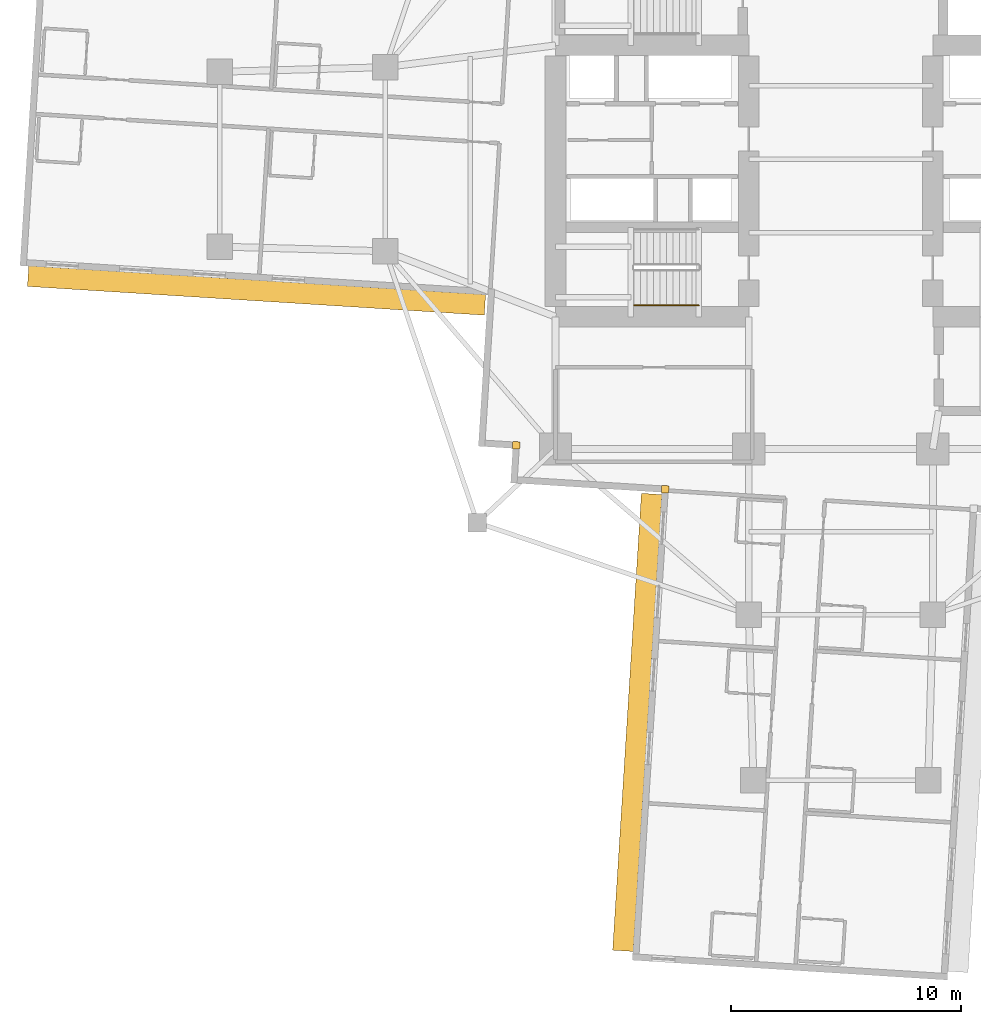
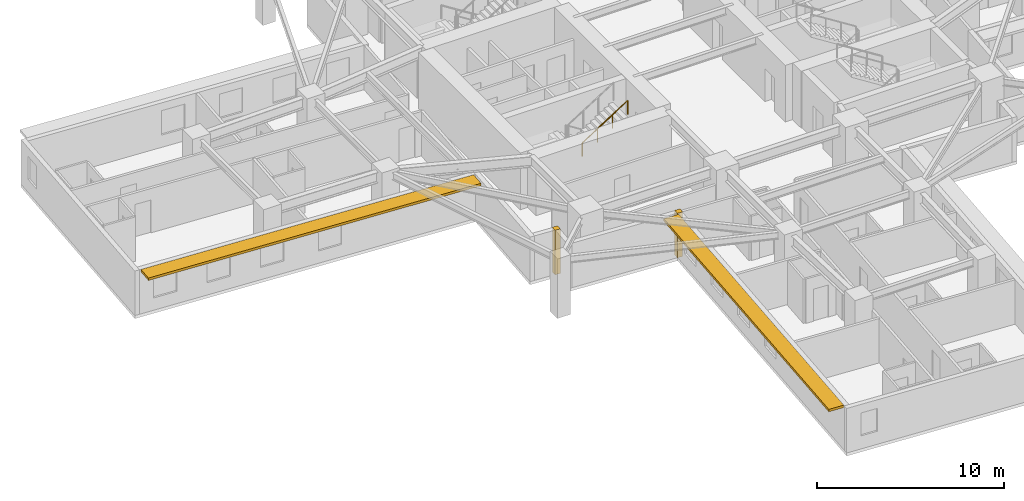
# One storey, part 10 of 14: 2 coverings, 2 shading devices, 1 railing.
"""IFC4 building model written with IfcOpenShell, lengths in metres."""

from ifc_helpers import new_model, si_unit, direction, frame, origin, origin_2d, place, context, subcontext, project, spatial, rectangle, circle, extrude, material, layer, layer_set, type_object, element, save


model = new_model("IFC4")

# Units and contexts
model_context = context("Model", 3, precision=1e-05, world=origin(), true_north=direction((0.0, 1.0)))
body_context = subcontext(model_context, "Body", "Model", "MODEL_VIEW")
ifc_project = project(units=[si_unit("LENGTHUNIT", "METRE"), si_unit("AREAUNIT", "SQUARE_METRE"), si_unit("VOLUMEUNIT", "CUBIC_METRE"), si_unit("PLANEANGLEUNIT", "RADIAN"), si_unit("MASSUNIT", "GRAM", prefix="KILO")], contexts=[model_context])

# Site, building, storey
site_placement = place(None, origin())
site = spatial("IfcSite", under=ifc_project, at=site_placement, CompositionType="ELEMENT")
building_placement = place(site_placement, origin())
building = spatial("IfcBuilding", under=site, at=building_placement, Name="Qingluan Cross Belvedere", CompositionType="ELEMENT")
storey_placement = place(building_placement, frame((0.0, 0.0, 79.5)))
storey = spatial("IfcBuildingStorey", under=building, at=storey_placement, Name="L20", CompositionType="ELEMENT", Elevation=79.5)

# Coverings
ifc_material_1 = material(Name="Precast concrete C45", Category="concrete")
ifc_layer_1 = layer(ifc_material_1, 0.1201171875, Name="ConcreteSpandrelCladding_120")
ifc_layer_set_1 = layer_set([ifc_layer_1], Name="Precast concrete C45")
covering_type = type_object("IfcCoveringType", Name="ConcreteSpandrelCladding_120", PredefinedType="CLADDING", material=ifc_layer_set_1)
for number, where, z_axis, x_axis, name in (
    (1, (-14.10888671875, -12.438720703125, 0.0), (0.0, 0.0, 1.0), (0.998026728428, -0.062790519529, 0.0), "Corner closure L20-SW1"),
    (2, (-7.635986328125, -14.348876953125, 0.0), (0.0, 0.0, 1.0), (0.998026728428, -0.062790519529, 0.0), "Corner closure L20-SW2"),
):
    element("IfcCovering", number, at=place(storey_placement, frame(where, z_axis=z_axis, x_axis=x_axis)), inside=storey, type_object=covering_type, Name=name, PredefinedType="CLADDING", context=body_context, shape_type="SweptSolid", body=[
        extrude(rectangle(XDim=0.320068359375, YDim=0.320068359375, at=origin_2d()), origin(), (0.0, 0.0, 1.0), 2.909912109375),
    ])

# Shading devices
ifc_material_2 = material(Name="Precast concrete C45", Category="concrete")
ifc_layer_2 = layer(ifc_material_2, 0.159912109375, Name="ConcreteSunshadeBand_900")
ifc_layer_set_2 = layer_set([ifc_layer_2], Name="Precast concrete C45")
shading_device_type = type_object("IfcShadingDeviceType", Name="ConcreteSunshadeBand_900", PredefinedType="USERDEFINED", material=ifc_layer_set_2)
for number, where, z_axis, x_axis, name in (
    (3, (-25.3984375, -5.70654296875, 2.72998046875), (0.0, 0.0, 1.0), (0.998026999973, -0.062786203294, 0.0), "Concrete SUNSHADE L20-WB"),
    (4, (-8.8447265625, -24.48291015625, 2.72998046875), (0.0, 0.0, 1.0), (-0.062791158819, -0.998026688207, 0.0), "Concrete SUNSHADE L20-SA"),
):
    element("IfcShadingDevice", number, at=place(storey_placement, frame(where, z_axis=z_axis, x_axis=x_axis)), inside=storey, type_object=shading_device_type, Name=name, ObjectType="SUNSHADE", PredefinedType="USERDEFINED", context=body_context, shape_type="SweptSolid", body=[
        extrude(rectangle(XDim=19.89990234375, YDim=0.89990234375, at=origin_2d()), origin(), (0.0, 0.0, 1.0), 0.159912109375),
    ])

# Railing
ifc_material_3 = material(Name="Brushed stainless steel tubular handrail", Category="steel")
railing_type = type_object("IfcRailingType", Name="StairPitchHandrail_900", PredefinedType="HANDRAIL", material=ifc_material_3)
railing_placement = place(storey_placement, frame((-8.97998046875, -6.35009765625, 2.127197265625)))
element("IfcRailing", 5, at=railing_placement, inside=storey, type_object=railing_type, Name="L20 ST1 stair handrail 2", PredefinedType="HANDRAIL", context=body_context, shape_type="SweptSolid", body=[
    extrude(circle(Radius=0.02392578125, at=origin_2d()), frame((0.0, 0.0, 0.8759765625), z_axis=(0.844908973607, 0.0, 0.534910110503), x_axis=(0.0, 1.0, 0.0)), (0.0, 0.0, 1.0), 3.31396484375),
    extrude(circle(Radius=0.02099609375, at=origin_2d()), origin(), (0.0, 0.0, 1.0), 0.851806640625),
    extrude(circle(Radius=0.02099609375, at=origin_2d()), frame((0.933349609375, 0.0, 0.5908203125)), (0.0, 0.0, 1.0), 0.851806640625),
    extrude(circle(Radius=0.02099609375, at=origin_2d()), frame((1.86669921875, 0.0, 1.181884765625)), (0.0, 0.0, 1.0), 0.851806640625),
    extrude(circle(Radius=0.02099609375, at=origin_2d()), frame((2.800048828125, 0.0, 1.772705078125)), (0.0, 0.0, 1.0), 0.851806640625),
])

save(model, "model.ifc")
